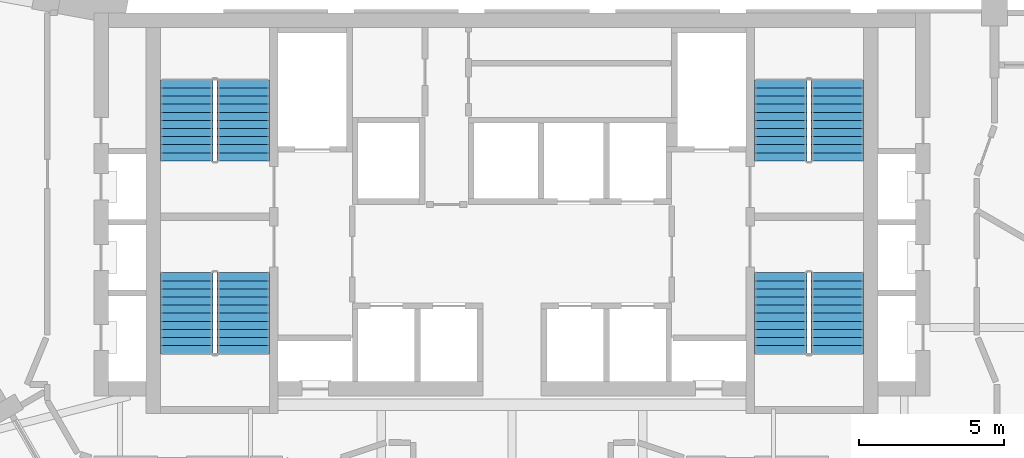
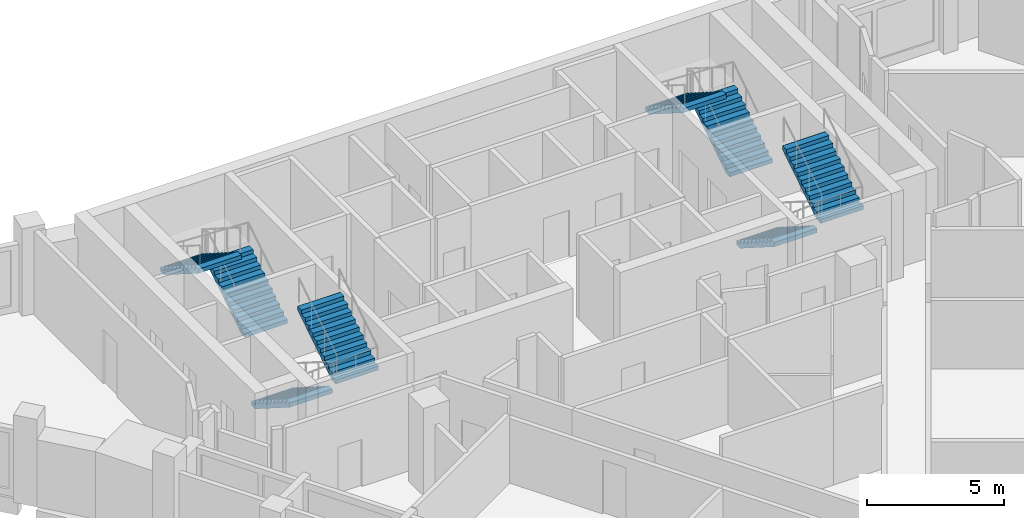
# One storey, part 8 of 9: 8 stair flights, 4 elements without a shape of their own.
"""IFC4 building model written with IfcOpenShell, lengths in metres."""

from ifc_helpers import new_model, si_unit, direction, frame, origin, place, context, subcontext, project, spatial, faceted_brep, source, transform, mapped, material, type_object, element, aggregate, save


model = new_model("IFC4")

# Units and contexts
model_context = context("Model", 3, precision=1e-05, world=origin(), true_north=direction((0.0, 1.0)))
body_context = subcontext(model_context, "Body", "Model", "MODEL_VIEW")
ifc_project = project(units=[si_unit("LENGTHUNIT", "METRE"), si_unit("AREAUNIT", "SQUARE_METRE"), si_unit("VOLUMEUNIT", "CUBIC_METRE"), si_unit("PLANEANGLEUNIT", "RADIAN"), si_unit("MASSUNIT", "GRAM", prefix="KILO")], contexts=[model_context])

# Site, building, storey
site_placement = place(None, origin())
site = spatial("IfcSite", under=ifc_project, at=site_placement, CompositionType="ELEMENT")
building_placement = place(site_placement, origin())
building = spatial("IfcBuilding", under=site, at=building_placement, Name="Calabash Gate Tower", CompositionType="ELEMENT")
storey_placement = place(building_placement, frame((0.0, 0.0, 208.10009765625)))
storey = spatial("IfcBuildingStorey", under=building, at=storey_placement, Name="L49", CompositionType="ELEMENT", Elevation=208.10009765625)

# Stair, stair flights
ifc_material_1 = material(Name="Concrete C40/50", Category="concrete")
stair_type = type_object("IfcStairType", Name="Exit stair 22 risers of 177.3 mm", PredefinedType="HALF_TURN_STAIR", material=ifc_material_1)
stair_1_placement = place(storey_placement, origin())
stair_1 = element("IfcStair", 1, at=stair_1_placement, inside=storey, type_object=stair_type, Name="L49 Exit stair ST1", PredefinedType="HALF_TURN_STAIR")
ifc_material_2 = material(Name="Concrete C40/50", Category="concrete")
stair_flight_type = type_object("IfcStairFlightType", Name="Exit stair flight SFL", PredefinedType="STRAIGHT", material=ifc_material_2)
shared_shape = source(origin(), body_context, "Body", "Brep", [
    faceted_brep([(-0.0009765625, -0.89990234375, 0.0), (0.279541015625, -0.89990234375, 0.0), (2.791015625, -0.89990234375, 1.59521484375), (-0.0009765625, 0.89990234375, 0.0), (2.791015625, 0.89990234375, 1.59521484375), (0.279541015625, 0.89990234375, 0.0), (2.791015625, -0.89990234375, 1.78466796875), (2.7900390625, -0.89990234375, 1.78466796875), (2.7900390625, 0.89990234375, 1.78466796875), (2.791015625, 0.89990234375, 1.78466796875), (2.7900390625, -0.89990234375, 1.772705078125), (2.7900390625, 0.89990234375, 1.772705078125), (2.510986328125, -0.89990234375, 1.772705078125), (2.510986328125, 0.89990234375, 1.772705078125), (2.510986328125, -0.89990234375, 1.595458984375), (2.510986328125, 0.89990234375, 1.595458984375), (2.23193359375, -0.89990234375, 1.595458984375), (2.23193359375, 0.89990234375, 1.595458984375), (2.23193359375, -0.89990234375, 1.418212890625), (2.23193359375, 0.89990234375, 1.418212890625), (1.952880859375, -0.89990234375, 1.418212890625), (1.952880859375, -0.89990234375, 1.240966796875), (1.952880859375, 0.89990234375, 1.240966796875), (1.952880859375, 0.89990234375, 1.418212890625), (1.674072265625, -0.89990234375, 1.240966796875), (1.674072265625, -0.89990234375, 1.063720703125), (1.674072265625, 0.89990234375, 1.063720703125), (1.674072265625, 0.89990234375, 1.240966796875), (1.39501953125, -0.89990234375, 1.063720703125), (1.39501953125, -0.89990234375, 0.886474609375), (1.39501953125, 0.89990234375, 0.886474609375), (1.39501953125, 0.89990234375, 1.063720703125), (1.115966796875, -0.89990234375, 0.886474609375), (1.115966796875, -0.89990234375, 0.708984375), (1.115966796875, 0.89990234375, 0.708984375), (1.115966796875, 0.89990234375, 0.886474609375), (0.8369140625, -0.89990234375, 0.708984375), (0.8369140625, -0.89990234375, 0.53173828125), (0.8369140625, 0.89990234375, 0.53173828125), (0.8369140625, 0.89990234375, 0.708984375), (0.55810546875, -0.89990234375, 0.53173828125), (0.55810546875, -0.89990234375, 0.3544921875), (0.55810546875, 0.89990234375, 0.3544921875), (0.55810546875, 0.89990234375, 0.53173828125), (0.279052734375, -0.89990234375, 0.3544921875), (0.279052734375, -0.89990234375, 0.17724609375), (0.279052734375, 0.89990234375, 0.17724609375), (0.279052734375, 0.89990234375, 0.3544921875), (-0.0009765625, -0.89990234375, 0.17724609375), (-0.0009765625, 0.89990234375, 0.17724609375), (0.279541015625, -0.360107421875, 0.0), (2.791015625, -0.360107421875, 1.59521484375), (0.279541015625, 0.0, 0.0), (2.791015625, 0.0, 1.59521484375), (0.279541015625, 0.360107421875, 0.0), (2.791015625, 0.360107421875, 1.59521484375), (2.791015625, -0.360107421875, 1.78466796875), (2.791015625, 0.0, 1.78466796875), (2.791015625, 0.360107421875, 1.78466796875), (2.7900390625, -0.360107421875, 1.78466796875), (2.7900390625, 0.0, 1.78466796875), (2.7900390625, 0.360107421875, 1.78466796875), (2.7900390625, -0.360107421875, 1.772705078125), (2.7900390625, 0.0, 1.772705078125), (2.7900390625, 0.360107421875, 1.772705078125), (2.510986328125, -0.360107421875, 1.772705078125), (2.510986328125, 0.0, 1.772705078125), (2.510986328125, 0.360107421875, 1.772705078125), (2.510986328125, -0.360107421875, 1.595458984375), (2.510986328125, 0.0, 1.595458984375), (2.510986328125, 0.360107421875, 1.595458984375), (2.23193359375, -0.360107421875, 1.595458984375), (2.23193359375, 0.0, 1.595458984375), (2.23193359375, 0.360107421875, 1.595458984375), (2.23193359375, -0.360107421875, 1.418212890625), (2.23193359375, 0.0, 1.418212890625), (2.23193359375, 0.360107421875, 1.418212890625), (1.952880859375, -0.360107421875, 1.418212890625), (1.952880859375, 0.0, 1.418212890625), (1.952880859375, 0.360107421875, 1.418212890625), (1.952880859375, -0.360107421875, 1.240966796875), (1.952880859375, 0.0, 1.240966796875), (1.952880859375, 0.360107421875, 1.240966796875), (1.674072265625, -0.360107421875, 1.240966796875), (1.674072265625, 0.0, 1.240966796875), (1.674072265625, 0.360107421875, 1.240966796875), (1.674072265625, -0.360107421875, 1.063720703125), (1.674072265625, 0.0, 1.063720703125), (1.674072265625, 0.360107421875, 1.063720703125), (1.39501953125, -0.360107421875, 1.063720703125), (1.39501953125, 0.0, 1.063720703125), (1.39501953125, 0.360107421875, 1.063720703125), (1.39501953125, -0.360107421875, 0.886474609375), (1.39501953125, 0.0, 0.886474609375), (1.39501953125, 0.360107421875, 0.886474609375), (1.115966796875, -0.360107421875, 0.886474609375), (1.115966796875, 0.0, 0.886474609375), (1.115966796875, 0.360107421875, 0.886474609375), (1.115966796875, -0.360107421875, 0.708984375), (1.115966796875, 0.0, 0.708984375), (1.115966796875, 0.360107421875, 0.708984375), (0.8369140625, -0.360107421875, 0.708984375), (0.8369140625, 0.0, 0.708984375), (0.8369140625, 0.360107421875, 0.708984375), (0.8369140625, -0.360107421875, 0.53173828125), (0.8369140625, 0.0, 0.53173828125), (0.8369140625, 0.360107421875, 0.53173828125), (0.55810546875, -0.360107421875, 0.53173828125), (0.55810546875, 0.0, 0.53173828125), (0.55810546875, 0.360107421875, 0.53173828125), (0.55810546875, -0.360107421875, 0.3544921875), (0.55810546875, 0.0, 0.3544921875), (0.55810546875, 0.360107421875, 0.3544921875), (0.279052734375, -0.360107421875, 0.3544921875), (0.279052734375, 0.0, 0.3544921875), (0.279052734375, 0.360107421875, 0.3544921875), (0.279052734375, -0.360107421875, 0.17724609375), (0.279052734375, 0.0, 0.17724609375), (0.279052734375, 0.360107421875, 0.17724609375), (-0.0009765625, -0.360107421875, 0.17724609375), (-0.0009765625, 0.0, 0.17724609375), (-0.0009765625, 0.360107421875, 0.17724609375), (-0.0009765625, -0.360107421875, 0.0), (-0.0009765625, 0.0, 0.0), (-0.0009765625, 0.360107421875, 0.0)], [[[0, 1, 2]], [[3, 4, 5]], [[2, 6, 7]], [[4, 8, 9]], [[2, 7, 10]], [[4, 11, 8]], [[2, 10, 12]], [[4, 13, 11]], [[2, 12, 14]], [[4, 15, 13]], [[2, 14, 16]], [[4, 17, 15]], [[2, 16, 18]], [[4, 19, 17]], [[18, 20, 21]], [[19, 22, 23]], [[2, 18, 21]], [[4, 22, 19]], [[21, 24, 25]], [[22, 26, 27]], [[2, 21, 25]], [[4, 26, 22]], [[25, 28, 29]], [[26, 30, 31]], [[2, 25, 29]], [[4, 30, 26]], [[29, 32, 33]], [[30, 34, 35]], [[2, 29, 33]], [[4, 34, 30]], [[33, 36, 37]], [[34, 38, 39]], [[2, 33, 37]], [[4, 38, 34]], [[37, 40, 41]], [[38, 42, 43]], [[2, 37, 41]], [[4, 42, 38]], [[41, 44, 45]], [[42, 46, 47]], [[2, 41, 45]], [[4, 46, 42]], [[0, 2, 45]], [[3, 46, 4]], [[45, 48, 0]], [[46, 3, 49]], [[1, 50, 2]], [[50, 51, 2]], [[50, 52, 51]], [[52, 53, 51]], [[52, 54, 55]], [[52, 55, 53]], [[54, 5, 4]], [[54, 4, 55]], [[2, 51, 6]], [[51, 56, 6]], [[51, 53, 56]], [[53, 57, 56]], [[53, 55, 58]], [[53, 58, 57]], [[55, 4, 9]], [[55, 9, 58]], [[6, 56, 7]], [[56, 59, 7]], [[56, 57, 59]], [[57, 60, 59]], [[57, 58, 61]], [[57, 61, 60]], [[58, 9, 8]], [[58, 8, 61]], [[7, 59, 10]], [[59, 62, 10]], [[59, 60, 62]], [[60, 63, 62]], [[60, 61, 64]], [[60, 64, 63]], [[61, 8, 11]], [[61, 11, 64]], [[10, 62, 12]], [[62, 65, 12]], [[62, 63, 65]], [[63, 66, 65]], [[63, 64, 67]], [[63, 67, 66]], [[64, 11, 13]], [[64, 13, 67]], [[12, 65, 14]], [[65, 68, 14]], [[65, 66, 68]], [[66, 69, 68]], [[66, 67, 70]], [[66, 70, 69]], [[67, 13, 15]], [[67, 15, 70]], [[14, 68, 16]], [[68, 71, 16]], [[68, 69, 71]], [[69, 72, 71]], [[69, 70, 73]], [[69, 73, 72]], [[70, 15, 17]], [[70, 17, 73]], [[16, 71, 18]], [[71, 74, 18]], [[71, 72, 74]], [[72, 75, 74]], [[72, 73, 76]], [[72, 76, 75]], [[73, 17, 19]], [[73, 19, 76]], [[18, 74, 20]], [[74, 77, 20]], [[74, 75, 77]], [[75, 78, 77]], [[75, 76, 79]], [[75, 79, 78]], [[76, 19, 23]], [[76, 23, 79]], [[20, 77, 21]], [[77, 80, 21]], [[77, 78, 80]], [[78, 81, 80]], [[78, 79, 82]], [[78, 82, 81]], [[79, 23, 22]], [[79, 22, 82]], [[21, 80, 24]], [[80, 83, 24]], [[80, 81, 83]], [[81, 84, 83]], [[81, 82, 85]], [[81, 85, 84]], [[82, 22, 27]], [[82, 27, 85]], [[24, 83, 25]], [[83, 86, 25]], [[83, 84, 86]], [[84, 87, 86]], [[84, 85, 88]], [[84, 88, 87]], [[85, 27, 26]], [[85, 26, 88]], [[25, 86, 28]], [[86, 89, 28]], [[86, 87, 89]], [[87, 90, 89]], [[87, 88, 91]], [[87, 91, 90]], [[88, 26, 31]], [[88, 31, 91]], [[28, 89, 29]], [[89, 92, 29]], [[89, 90, 92]], [[90, 93, 92]], [[90, 91, 94]], [[90, 94, 93]], [[91, 31, 30]], [[91, 30, 94]], [[29, 92, 32]], [[92, 95, 32]], [[92, 93, 95]], [[93, 96, 95]], [[93, 94, 97]], [[93, 97, 96]], [[94, 30, 35]], [[94, 35, 97]], [[32, 95, 33]], [[95, 98, 33]], [[95, 96, 98]], [[96, 99, 98]], [[96, 97, 100]], [[96, 100, 99]], [[97, 35, 34]], [[97, 34, 100]], [[33, 98, 36]], [[98, 101, 36]], [[98, 99, 101]], [[99, 102, 101]], [[99, 100, 103]], [[99, 103, 102]], [[100, 34, 39]], [[100, 39, 103]], [[36, 101, 37]], [[101, 104, 37]], [[101, 102, 104]], [[102, 105, 104]], [[102, 103, 106]], [[102, 106, 105]], [[103, 39, 38]], [[103, 38, 106]], [[37, 104, 40]], [[104, 107, 40]], [[104, 105, 107]], [[105, 108, 107]], [[105, 106, 109]], [[105, 109, 108]], [[106, 38, 43]], [[106, 43, 109]], [[40, 107, 41]], [[107, 110, 41]], [[107, 108, 110]], [[108, 111, 110]], [[108, 109, 112]], [[108, 112, 111]], [[109, 43, 42]], [[109, 42, 112]], [[41, 110, 44]], [[110, 113, 44]], [[110, 111, 113]], [[111, 114, 113]], [[111, 112, 115]], [[111, 115, 114]], [[112, 42, 47]], [[112, 47, 115]], [[44, 113, 45]], [[113, 116, 45]], [[113, 114, 116]], [[114, 117, 116]], [[114, 115, 118]], [[114, 118, 117]], [[115, 47, 46]], [[115, 46, 118]], [[45, 116, 48]], [[116, 119, 48]], [[116, 117, 119]], [[117, 120, 119]], [[117, 118, 121]], [[117, 121, 120]], [[118, 46, 49]], [[118, 49, 121]], [[48, 119, 0]], [[119, 122, 0]], [[119, 120, 122]], [[120, 123, 122]], [[120, 121, 124]], [[120, 124, 123]], [[121, 49, 3]], [[121, 3, 124]], [[0, 122, 1]], [[122, 50, 1]], [[122, 123, 50]], [[123, 52, 50]], [[123, 124, 54]], [[123, 54, 52]], [[124, 3, 5]], [[124, 5, 54]]]),
])
stair_flight_1_placement = place(storey_placement, frame((-9.25, 13.95263671875, 0.0), z_axis=(0.0, 0.0, 1.0), x_axis=(0.0, 1.0, 0.0)))
stair_flight_1 = element("IfcStairFlight", 2, at=stair_flight_1_placement, type_object=stair_flight_type, Name="ST1 flight 1", NumberOfRisers=11, NumberOfTreads=10, PredefinedType="STRAIGHT", RiserHeight=0.177272727, TreadLength=0.279, context=body_context, shape_type="MappedRepresentation", body=[
    mapped(shared_shape, transform((0.0, 0.0, 0.0), scale=1.0)),
])
stair_flight_2_placement = place(storey_placement, frame((-11.199951171875, 16.74267578125, 1.949951171875), z_axis=(0.0, 0.0, 1.0), x_axis=(0.0, -1.0, 0.0)))
stair_flight_2 = element("IfcStairFlight", 3, at=stair_flight_2_placement, type_object=stair_flight_type, Name="ST1 flight 2", NumberOfRisers=11, NumberOfTreads=10, PredefinedType="STRAIGHT", RiserHeight=0.177272727, TreadLength=0.279, context=body_context, shape_type="MappedRepresentation", body=[
    mapped(shared_shape, transform((0.0, 0.0, 0.0), scale=1.0)),
])
aggregate(stair_1, [stair_flight_1, stair_flight_2])

stair_2_placement = place(storey_placement, origin())
stair_2 = element("IfcStair", 4, at=stair_2_placement, inside=storey, type_object=stair_type, Name="L49 Exit stair ST2", PredefinedType="HALF_TURN_STAIR")
stair_flight_3_placement = place(storey_placement, frame((-11.199951171875, 10.1025390625, 0.0), z_axis=(0.0, 0.0, 1.0), x_axis=(0.0, -1.0, 0.0)))
stair_flight_3 = element("IfcStairFlight", 5, at=stair_flight_3_placement, type_object=stair_flight_type, Name="ST2 flight 1", NumberOfRisers=11, NumberOfTreads=10, PredefinedType="STRAIGHT", RiserHeight=0.177272727, TreadLength=0.279, context=body_context, shape_type="MappedRepresentation", body=[
    mapped(shared_shape, transform((0.0, 0.0, 0.0), scale=1.0)),
])
stair_flight_4_placement = place(storey_placement, frame((-9.25, 7.3125, 1.949951171875), z_axis=(0.0, 0.0, 1.0), x_axis=(0.0, 1.0, 0.0)))
stair_flight_4 = element("IfcStairFlight", 6, at=stair_flight_4_placement, type_object=stair_flight_type, Name="ST2 flight 2", NumberOfRisers=11, NumberOfTreads=10, PredefinedType="STRAIGHT", RiserHeight=0.177272727, TreadLength=0.279, context=body_context, shape_type="MappedRepresentation", body=[
    mapped(shared_shape, transform((0.0, 0.0, 0.0), scale=1.0)),
])
aggregate(stair_2, [stair_flight_3, stair_flight_4])

stair_3_placement = place(storey_placement, origin())
stair_3 = element("IfcStair", 7, at=stair_3_placement, inside=storey, type_object=stair_type, Name="L49 Exit stair ST3", PredefinedType="HALF_TURN_STAIR")
stair_flight_5_placement = place(storey_placement, frame((11.199951171875, 13.95263671875, 0.0), z_axis=(0.0, 0.0, 1.0), x_axis=(0.0, 1.0, 0.0)))
stair_flight_5 = element("IfcStairFlight", 8, at=stair_flight_5_placement, type_object=stair_flight_type, Name="ST3 flight 1", NumberOfRisers=11, NumberOfTreads=10, PredefinedType="STRAIGHT", RiserHeight=0.177272727, TreadLength=0.279, context=body_context, shape_type="MappedRepresentation", body=[
    mapped(shared_shape, transform((0.0, 0.0, 0.0), scale=1.0)),
])
stair_flight_6_placement = place(storey_placement, frame((9.25, 16.74267578125, 1.949951171875), z_axis=(0.0, 0.0, 1.0), x_axis=(0.0, -1.0, 0.0)))
stair_flight_6 = element("IfcStairFlight", 9, at=stair_flight_6_placement, type_object=stair_flight_type, Name="ST3 flight 2", NumberOfRisers=11, NumberOfTreads=10, PredefinedType="STRAIGHT", RiserHeight=0.177272727, TreadLength=0.279, context=body_context, shape_type="MappedRepresentation", body=[
    mapped(shared_shape, transform((0.0, 0.0, 0.0), scale=1.0)),
])
aggregate(stair_3, [stair_flight_5, stair_flight_6])

stair_4_placement = place(storey_placement, origin())
stair_4 = element("IfcStair", 10, at=stair_4_placement, inside=storey, type_object=stair_type, Name="L49 Exit stair ST4", PredefinedType="HALF_TURN_STAIR")
stair_flight_7_placement = place(storey_placement, frame((9.25, 10.1025390625, 0.0), z_axis=(0.0, 0.0, 1.0), x_axis=(0.0, -1.0, 0.0)))
stair_flight_7 = element("IfcStairFlight", 11, at=stair_flight_7_placement, type_object=stair_flight_type, Name="ST4 flight 1", NumberOfRisers=11, NumberOfTreads=10, PredefinedType="STRAIGHT", RiserHeight=0.177272727, TreadLength=0.279, context=body_context, shape_type="MappedRepresentation", body=[
    mapped(shared_shape, transform((0.0, 0.0, 0.0), scale=1.0)),
])
stair_flight_8_placement = place(storey_placement, frame((11.199951171875, 7.3125, 1.949951171875), z_axis=(0.0, 0.0, 1.0), x_axis=(0.0, 1.0, 0.0)))
stair_flight_8 = element("IfcStairFlight", 12, at=stair_flight_8_placement, type_object=stair_flight_type, Name="ST4 flight 2", NumberOfRisers=11, NumberOfTreads=10, PredefinedType="STRAIGHT", RiserHeight=0.177272727, TreadLength=0.279, context=body_context, shape_type="MappedRepresentation", body=[
    mapped(shared_shape, transform((0.0, 0.0, 0.0), scale=1.0)),
])
aggregate(stair_4, [stair_flight_7, stair_flight_8])

save(model, "model.ifc")
